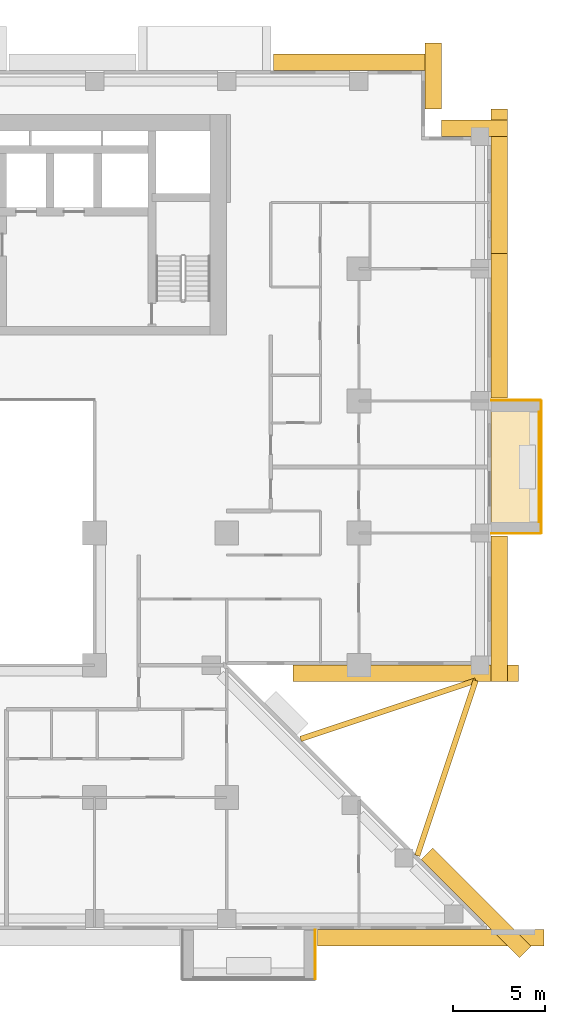
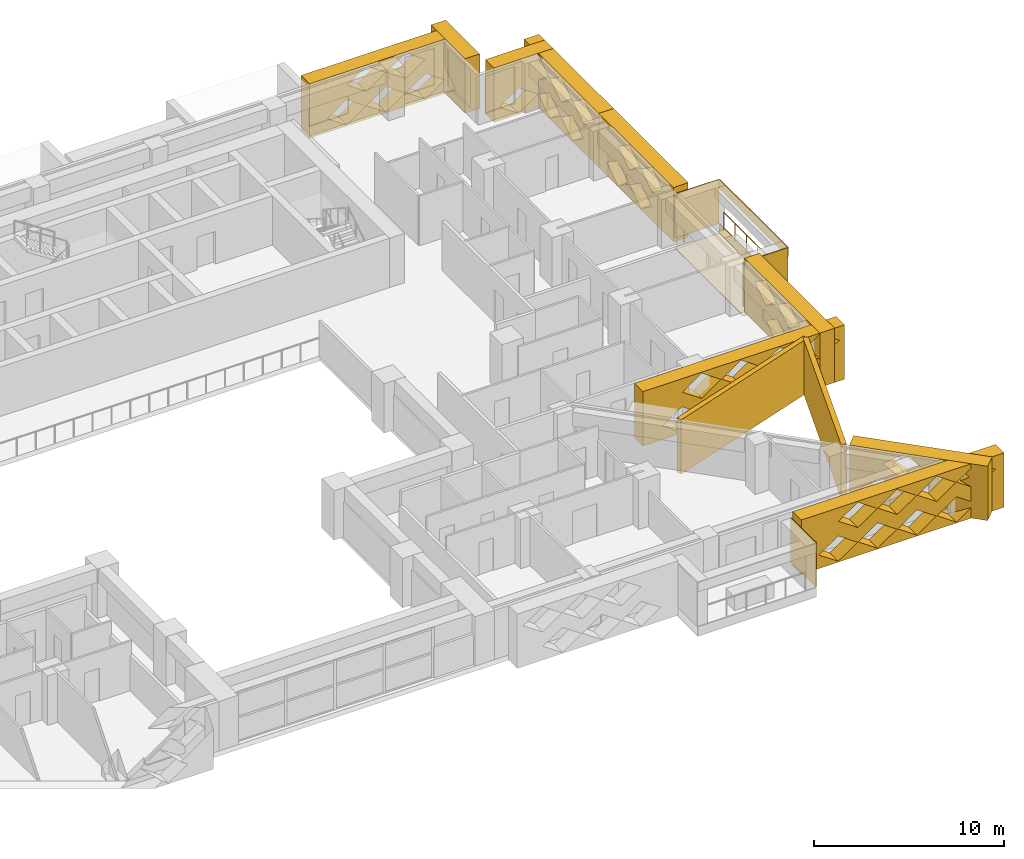
# One storey, part 17 of 17: 17 coverings, 1 railing.
"""IFC4 building model written with IfcOpenShell, lengths in metres."""

from ifc_helpers import new_model, si_unit, direction, frame, origin, origin_2d, place, context, subcontext, project, spatial, polyline, circle, outline, extrude, material, layer, layer_set, type_object, element, save


model = new_model("IFC4")

# Units and contexts
model_context = context("Model", 3, precision=1e-05, world=origin(), true_north=direction((0.0, 1.0)))
body_context = subcontext(model_context, "Body", "Model", "MODEL_VIEW")
ifc_project = project(units=[si_unit("LENGTHUNIT", "METRE"), si_unit("AREAUNIT", "SQUARE_METRE"), si_unit("VOLUMEUNIT", "CUBIC_METRE"), si_unit("PLANEANGLEUNIT", "RADIAN"), si_unit("MASSUNIT", "GRAM", prefix="KILO")], contexts=[model_context])

# Site, building, storey
site_placement = place(None, origin())
site = spatial("IfcSite", under=ifc_project, at=site_placement, CompositionType="ELEMENT")
building_placement = place(site_placement, origin())
building = spatial("IfcBuilding", under=site, at=building_placement, Name="Saffron Iwan Residences", CompositionType="ELEMENT")
storey_placement = place(building_placement, frame((0.0, 0.0, 86.5)))
storey = spatial("IfcBuildingStorey", under=building, at=storey_placement, Name="L22", CompositionType="ELEMENT", Elevation=86.5)

# Railing
ifc_material_1 = material(Name="Stainless steel 316", Category="steel")
railing_type = type_object("IfcRailingType", Name="BALCONY GUARD 1150", PredefinedType="GUARDRAIL", material=ifc_material_1)
railing_placement = place(storey_placement, frame((89.02490234375, 55.800048828125, 0.0)))
element("IfcRailing", 1, at=railing_placement, inside=storey, type_object=railing_type, Name="Balcony guard L22 F2-0", PredefinedType="GUARDRAIL", context=body_context, shape_type="SweptSolid", body=[
    extrude(circle(Radius=0.02392578125, at=origin_2d()), frame((0.0, 0.0, 1.1259765625), z_axis=(0.0, 1.0, 0.0), x_axis=(-1.0, 0.0, 0.0)), (0.0, 0.0, 1.0), 6.0),
    extrude(circle(Radius=0.02099609375, at=origin_2d()), origin(), (0.0, 0.0, 1.0), 1.101806640625),
    extrude(circle(Radius=0.02099609375, at=origin_2d()), frame((0.0, 1.199951171875, 0.0)), (0.0, 0.0, 1.0), 1.101806640625),
    extrude(circle(Radius=0.02099609375, at=origin_2d()), frame((0.0, 2.39990234375, 0.0)), (0.0, 0.0, 1.0), 1.101806640625),
    extrude(circle(Radius=0.02099609375, at=origin_2d()), frame((0.0, 3.60009765625, 0.0)), (0.0, 0.0, 1.0), 1.101806640625),
    extrude(circle(Radius=0.02099609375, at=origin_2d()), frame((0.0, 4.800048828125, 0.0)), (0.0, 0.0, 1.0), 1.101806640625),
    extrude(circle(Radius=0.02099609375, at=origin_2d()), frame((0.0, 6.0, 0.0)), (0.0, 0.0, 1.0), 1.101806640625),
])

# Coverings
ifc_material_2 = material(Name="Precast concrete C40/50 white painted", Category="concrete")
ifc_layer_1 = layer(ifc_material_2, 0.050048828125)
ifc_layer_set_1 = layer_set([ifc_layer_1], Name="Precast concrete C40/50 white painted")
covering_type_1 = type_object("IfcCoveringType", Name="FRAME SKIN PRECAST WHITE 50", PredefinedType="CLADDING", material=ifc_layer_set_1)
for number, where, name in (
    (2, (0.0, 0.0, -0.60009765625), "Frame skin slab edge L22 F2-0"),
    (3, (0.0, 0.0, 2.25), "Frame skin fascia L22 F2-0"),
):
    element("IfcCovering", number, at=place(storey_placement, frame(where)), inside=storey, type_object=covering_type_1, Name=name, PredefinedType="CLADDING", context=body_context, shape_type="SweptSolid", body=[
        extrude(outline(polyline([(89.14990234375, 55.199951171875), (89.14990234375, 62.39990234375), (89.10009765625, 62.39990234375), (89.10009765625, 55.199951171875), (89.14990234375, 55.199951171875)])), origin(), (0.0, 0.0, 1.0), 0.60009765625),
    ])
covering_1_placement = place(storey_placement, frame((0.0, 0.0, -0.64990234375)))
element("IfcCovering", 4, at=covering_1_placement, inside=storey, type_object=covering_type_1, Name="Frame skin soffit L22 F2-0", PredefinedType="CLADDING", context=body_context, shape_type="SweptSolid", body=[
    extrude(outline(polyline([(89.10009765625, 55.199951171875), (89.10009765625, 62.39990234375), (86.39990234375, 62.39990234375), (86.39990234375, 55.199951171875), (89.10009765625, 55.199951171875)])), origin(), (0.0, 0.0, 1.0), 0.0498046875),
])
covering_2_placement = place(storey_placement, origin())
element("IfcCovering", 5, at=covering_2_placement, inside=storey, type_object=covering_type_1, Name="Frame skin fin L22 F2-0a", PredefinedType="CLADDING", context=body_context, shape_type="SweptSolid", body=[
    extrude(outline(polyline([(89.10009765625, 55.14990234375), (89.10009765625, 55.199951171875), (86.39990234375, 55.199951171875), (86.39990234375, 55.14990234375), (89.10009765625, 55.14990234375)])), origin(), (0.0, 0.0, 1.0), 2.85009765625),
])
covering_3_placement = place(storey_placement, origin())
element("IfcCovering", 6, at=covering_3_placement, inside=storey, type_object=covering_type_1, Name="Frame skin fin L22 F2-0b", PredefinedType="CLADDING", context=body_context, shape_type="SweptSolid", body=[
    extrude(outline(polyline([(89.10009765625, 62.39990234375), (89.10009765625, 62.449951171875), (86.39990234375, 62.449951171875), (86.39990234375, 62.39990234375), (89.10009765625, 62.39990234375)])), origin(), (0.0, 0.0, 1.0), 2.85009765625),
])
covering_4_placement = place(storey_placement, origin())
element("IfcCovering", 7, at=covering_4_placement, inside=storey, type_object=covering_type_1, Name="Frame skin fin L22 11-1b", PredefinedType="CLADDING", context=body_context, shape_type="SweptSolid", body=[
    extrude(outline(polyline([(76.800048828125, 30.89990234375), (76.85009765625, 30.89990234375), (76.85009765625, 33.60009765625), (76.800048828125, 33.60009765625), (76.800048828125, 30.89990234375)])), origin(), (0.0, 0.0, 1.0), 2.85009765625),
])
ifc_material_3 = material(Name="Precast concrete C40/50", Category="concrete")
covering_type_2 = type_object("IfcCoveringType", Name="OUTER SKIN LATTICE SCREEN", PredefinedType="CLADDING", material=ifc_material_3)
covering_5_placement = place(storey_placement, frame((87.939453125, 32.060546875, -0.320068359375), z_axis=(0.706971125213, 0.70724241114, 0.0), x_axis=(-0.70724241114, 0.706971125213, 0.0)))
element("IfcCovering", 8, at=covering_5_placement, inside=storey, type_object=covering_type_2, Name="OUTER SKIN lattice screen L22 F0.0", PredefinedType="CLADDING", context=body_context, shape_type="SweptSolid", body=[
    extrude(outline(polyline([(0.0, 0.0), (7.559326171875, 0.0), (7.559326171875, 3.5), (0.0, 3.5), (0.0, 0.0)]), holes=[polyline([(2.197021484375, 0.875), (3.377197265625, 0.06005859375), (4.55712890625, 0.875), (3.377197265625, 1.68994140625), (2.197021484375, 0.875)]), polyline([(4.59716796875, 0.875), (5.777099609375, 0.06005859375), (6.95703125, 0.875), (5.777099609375, 1.68994140625), (4.59716796875, 0.875)]), polyline([(0.9970703125, 2.625), (2.177001953125, 1.81005859375), (3.357177734375, 2.625), (2.177001953125, 3.43994140625), (0.9970703125, 2.625)]), polyline([(3.397216796875, 2.625), (4.5771484375, 1.81005859375), (5.757080078125, 2.625), (4.5771484375, 3.43994140625), (3.397216796875, 2.625)])]), origin(), (0.0, 0.0, 1.0), 0.89990234375),
])
covering_6_placement = place(storey_placement, frame((75.6171875, 48.0, -0.320068359375), z_axis=(0.0, -1.0, 0.0), x_axis=(1.0, 0.0, 0.0)))
element("IfcCovering", 9, at=covering_6_placement, inside=storey, type_object=covering_type_2, Name="OUTER SKIN lattice screen L22 F1.0", PredefinedType="CLADDING", context=body_context, shape_type="SweptSolid", body=[
    extrude(outline(polyline([(0.0, 0.0), (12.282958984375, 0.0), (12.282958984375, 3.5), (0.0, 3.5), (0.0, 0.0)]), holes=[polyline([(1.202880859375, 0.875), (2.3828125, 0.06005859375), (3.56298828125, 0.875), (2.3828125, 1.68994140625), (1.202880859375, 0.875)]), polyline([(3.602783203125, 0.875), (4.782958984375, 0.06005859375), (5.962890625, 0.875), (4.782958984375, 1.68994140625), (3.602783203125, 0.875)]), polyline([(6.0029296875, 0.875), (7.182861328125, 0.06005859375), (8.36279296875, 0.875), (7.182861328125, 1.68994140625), (6.0029296875, 0.875)]), polyline([(8.40283203125, 0.875), (9.5830078125, 0.06005859375), (10.762939453125, 0.875), (9.5830078125, 1.68994140625), (8.40283203125, 0.875)]), polyline([(2.40283203125, 2.625), (3.5830078125, 1.81005859375), (4.762939453125, 2.625), (3.5830078125, 3.43994140625), (2.40283203125, 2.625)]), polyline([(4.802978515625, 2.625), (5.98291015625, 1.81005859375), (7.162841796875, 2.625), (5.98291015625, 3.43994140625), (4.802978515625, 2.625)]), polyline([(7.202880859375, 2.625), (8.3828125, 1.81005859375), (9.56298828125, 2.625), (8.3828125, 3.43994140625), (7.202880859375, 2.625)]), polyline([(9.602783203125, 2.625), (10.782958984375, 1.81005859375), (11.962890625, 2.625), (10.782958984375, 3.43994140625), (9.602783203125, 2.625)])]), origin(), (0.0, 0.0, 1.0), 0.89990234375),
])
covering_7_placement = place(storey_placement, frame((86.39990234375, 47.10009765625, -0.320068359375), z_axis=(1.0, 0.0, 0.0), x_axis=(0.0, 1.0, 0.0)))
element("IfcCovering", 10, at=covering_7_placement, inside=storey, type_object=covering_type_2, Name="OUTER SKIN lattice screen L22 F2.0", PredefinedType="CLADDING", context=body_context, shape_type="SweptSolid", body=[
    extrude(outline(polyline([(0.0, 0.0), (7.949951171875, 0.0), (7.949951171875, 3.5), (0.0, 3.5), (0.0, 0.0)]), holes=[polyline([(0.919921875, 0.875), (2.10009765625, 0.06005859375), (3.280029296875, 0.875), (2.10009765625, 1.68994140625), (0.919921875, 0.875)]), polyline([(3.320068359375, 0.875), (4.5, 0.06005859375), (5.679931640625, 0.875), (4.5, 1.68994140625), (3.320068359375, 0.875)]), polyline([(2.1201171875, 2.625), (3.300048828125, 1.81005859375), (4.47998046875, 2.625), (3.300048828125, 3.43994140625), (2.1201171875, 2.625)]), polyline([(4.52001953125, 2.625), (5.699951171875, 1.81005859375), (6.8798828125, 2.625), (5.699951171875, 3.43994140625), (4.52001953125, 2.625)])]), origin(), (0.0, 0.0, 1.0), 0.900146484375),
])
covering_8_placement = place(storey_placement, frame((86.39990234375, 62.550048828125, -0.320068359375), z_axis=(1.0, 0.0, 0.0), x_axis=(0.0, 1.0, 0.0)))
element("IfcCovering", 11, at=covering_8_placement, inside=storey, type_object=covering_type_2, Name="OUTER SKIN lattice screen L22 F2.1", PredefinedType="CLADDING", context=body_context, shape_type="SweptSolid", body=[
    extrude(outline(polyline([(0.0, 0.0), (7.875, 0.0), (7.875, 3.5), (0.0, 3.5), (0.0, 0.0)]), holes=[polyline([(2.27001953125, 0.875), (3.449951171875, 0.06005859375), (4.6298828125, 0.875), (3.449951171875, 1.68994140625), (2.27001953125, 0.875)]), polyline([(4.669921875, 0.875), (5.85009765625, 0.06005859375), (7.030029296875, 0.875), (5.85009765625, 1.68994140625), (4.669921875, 0.875)]), polyline([(1.070068359375, 2.625), (2.25, 1.81005859375), (3.429931640625, 2.625), (2.25, 3.43994140625), (1.070068359375, 2.625)]), polyline([(3.469970703125, 2.625), (4.64990234375, 1.81005859375), (5.830078125, 2.625), (4.64990234375, 3.43994140625), (3.469970703125, 2.625)])]), origin(), (0.0, 0.0, 1.0), 0.900146484375),
])
covering_9_placement = place(storey_placement, frame((86.39990234375, 70.425048828125, -0.320068359375), z_axis=(1.0, 0.0, 0.0), x_axis=(0.0, 1.0, 0.0)))
element("IfcCovering", 12, at=covering_9_placement, inside=storey, type_object=covering_type_2, Name="OUTER SKIN lattice screen L22 F2.2", PredefinedType="CLADDING", context=body_context, shape_type="SweptSolid", body=[
    extrude(outline(polyline([(0.0, 0.0), (7.875, 0.0), (7.875, 3.5), (0.0, 3.5), (0.0, 0.0)]), holes=[polyline([(1.594970703125, 0.875), (2.77490234375, 0.06005859375), (3.955078125, 0.875), (2.77490234375, 1.68994140625), (1.594970703125, 0.875)]), polyline([(3.9951171875, 0.875), (5.175048828125, 0.06005859375), (6.35498046875, 0.875), (5.175048828125, 1.68994140625), (3.9951171875, 0.875)]), polyline([(0.39501953125, 2.625), (1.574951171875, 1.81005859375), (2.7548828125, 2.625), (1.574951171875, 3.43994140625), (0.39501953125, 2.625)]), polyline([(2.794921875, 2.625), (3.97509765625, 1.81005859375), (5.155029296875, 2.625), (3.97509765625, 3.43994140625), (2.794921875, 2.625)]), polyline([(5.195068359375, 2.625), (6.375, 1.81005859375), (7.554931640625, 2.625), (6.375, 3.43994140625), (5.195068359375, 2.625)])]), origin(), (0.0, 0.0, 1.0), 0.900146484375),
])
for number, where, z_axis, x_axis, name in (
    (13, (87.300048828125, 76.800048828125, -0.320068359375), (0.0, 1.0, 0.0), (-1.0, 0.0, 0.0), "OUTER SKIN lattice screen L22 F3.0"),
    (14, (82.800048828125, 78.300048828125, -0.320068359375), (1.0, 0.0, 0.0), (0.0, 1.0, 0.0), "OUTER SKIN lattice screen L22 F4.0"),
):
    element("IfcCovering", number, at=place(storey_placement, frame(where, z_axis=z_axis, x_axis=x_axis)), inside=storey, type_object=covering_type_2, Name=name, PredefinedType="CLADDING", context=body_context, shape_type="SweptSolid", body=[
        extrude(outline(polyline([(0.0, 0.0), (3.60009765625, 0.0), (3.60009765625, 3.5), (0.0, 3.5), (0.0, 0.0)]), holes=[polyline([(0.919921875, 0.875), (2.10009765625, 0.06005859375), (3.280029296875, 0.875), (2.10009765625, 1.68994140625), (0.919921875, 0.875)])]), origin(), (0.0, 0.0, 1.0), 0.89990234375),
    ])
covering_10_placement = place(storey_placement, frame((83.699951171875, 80.39990234375, -0.320068359375), z_axis=(0.0, 1.0, 0.0), x_axis=(-1.0, 0.0, 0.0)))
element("IfcCovering", 15, at=covering_10_placement, inside=storey, type_object=covering_type_2, Name="OUTER SKIN lattice screen L22 F5.0", PredefinedType="CLADDING", context=body_context, shape_type="SweptSolid", body=[
    extrude(outline(polyline([(0.0, 0.0), (9.14990234375, 0.0), (9.14990234375, 3.5), (0.0, 3.5), (0.0, 0.0)]), holes=[polyline([(0.919921875, 0.875), (2.10009765625, 0.06005859375), (3.280029296875, 0.875), (2.10009765625, 1.68994140625), (0.919921875, 0.875)]), polyline([(3.320068359375, 0.875), (4.5, 0.06005859375), (5.679931640625, 0.875), (4.5, 1.68994140625), (3.320068359375, 0.875)]), polyline([(5.719970703125, 0.875), (6.89990234375, 0.06005859375), (8.080078125, 0.875), (6.89990234375, 1.68994140625), (5.719970703125, 0.875)]), polyline([(2.1201171875, 2.625), (3.300048828125, 1.81005859375), (4.47998046875, 2.625), (3.300048828125, 3.43994140625), (2.1201171875, 2.625)]), polyline([(4.52001953125, 2.625), (5.699951171875, 1.81005859375), (6.8798828125, 2.625), (5.699951171875, 3.43994140625), (4.52001953125, 2.625)])]), origin(), (0.0, 0.0, 1.0), 0.900146484375),
])
covering_11_placement = place(storey_placement, frame((76.949951171875, 33.60009765625, -0.320068359375), z_axis=(0.0, -1.0, 0.0), x_axis=(1.0, 0.0, 0.0)))
element("IfcCovering", 16, at=covering_11_placement, inside=storey, type_object=covering_type_2, Name="OUTER SKIN lattice screen L22 F11.3", PredefinedType="CLADDING", context=body_context, shape_type="SweptSolid", body=[
    extrude(outline(polyline([(0.0, 0.0), (12.34716796875, 0.0), (12.34716796875, 3.5), (0.0, 3.5), (0.0, 0.0)]), holes=[polyline([(1.070068359375, 0.875), (2.25, 0.06005859375), (3.429931640625, 0.875), (2.25, 1.68994140625), (1.070068359375, 0.875)]), polyline([(3.469970703125, 0.875), (4.64990234375, 0.06005859375), (5.830078125, 0.875), (4.64990234375, 1.68994140625), (3.469970703125, 0.875)]), polyline([(5.8701171875, 0.875), (7.050048828125, 0.06005859375), (8.22998046875, 0.875), (7.050048828125, 1.68994140625), (5.8701171875, 0.875)]), polyline([(8.27001953125, 0.875), (9.449951171875, 0.06005859375), (10.6298828125, 0.875), (9.449951171875, 1.68994140625), (8.27001953125, 0.875)]), polyline([(2.27001953125, 2.625), (3.449951171875, 1.81005859375), (4.6298828125, 2.625), (3.449951171875, 3.43994140625), (2.27001953125, 2.625)]), polyline([(4.669921875, 2.625), (5.85009765625, 1.81005859375), (7.030029296875, 2.625), (5.85009765625, 3.43994140625), (4.669921875, 2.625)]), polyline([(7.070068359375, 2.625), (8.25, 1.81005859375), (9.429931640625, 2.625), (8.25, 3.43994140625), (7.070068359375, 2.625)]), polyline([(9.469970703125, 2.625), (10.64990234375, 1.81005859375), (11.830078125, 2.625), (10.64990234375, 3.43994140625), (9.469970703125, 2.625)])]), origin(), (0.0, 0.0, 1.0), 0.900146484375),
])
ifc_layer_2 = layer(ifc_material_2, 0.300048828125)
ifc_layer_set_2 = layer_set([ifc_layer_2], Name="Precast concrete C40/50 white painted")
covering_type_3 = type_object("IfcCoveringType", Name="PROW NOSE BLADE PRECAST WHITE", PredefinedType="CLADDING", material=ifc_layer_set_2)
covering_12_placement = place(storey_placement, frame((0.0, 0.0, -0.320068359375)))
element("IfcCovering", 17, at=covering_12_placement, inside=storey, type_object=covering_type_3, Name="Prow nose blade L22 a", PredefinedType="CLADDING", context=body_context, shape_type="SweptSolid", body=[
    extrude(outline(polyline([(82.5244140625, 37.570556640625), (85.706298828125, 47.116455078125), (85.421630859375, 47.21142578125), (82.23974609375, 37.66552734375), (82.5244140625, 37.570556640625)])), origin(), (0.0, 0.0, 1.0), 3.5),
])
covering_13_placement = place(storey_placement, frame((0.0, 0.0, -0.320068359375)))
element("IfcCovering", 18, at=covering_13_placement, inside=storey, type_object=covering_type_3, Name="Prow nose blade L22 b", PredefinedType="CLADDING", context=body_context, shape_type="SweptSolid", body=[
    extrude(outline(polyline([(76.0654296875, 43.839599609375), (85.611328125, 47.021728515625), (85.5166015625, 47.306396484375), (75.970703125, 44.124267578125), (76.0654296875, 43.839599609375)])), origin(), (0.0, 0.0, 1.0), 3.5),
])

save(model, "model.ifc")
